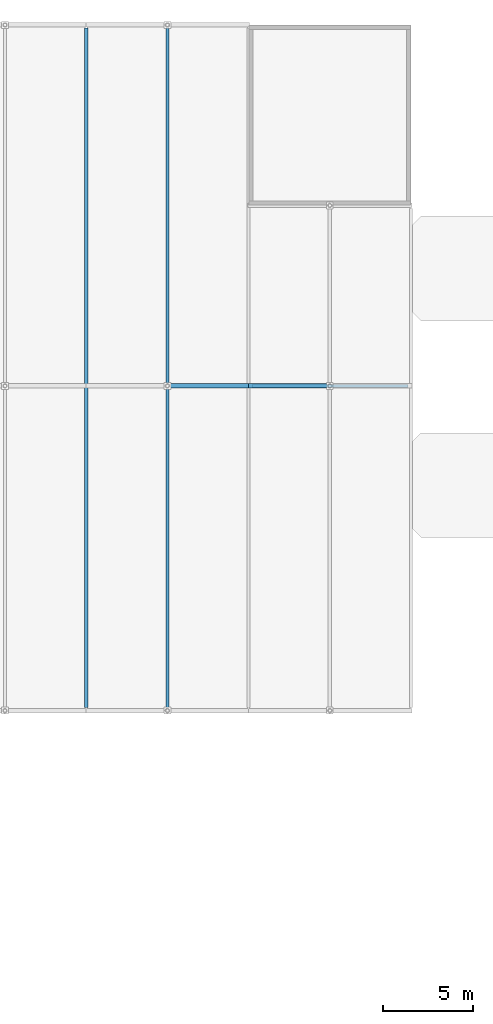
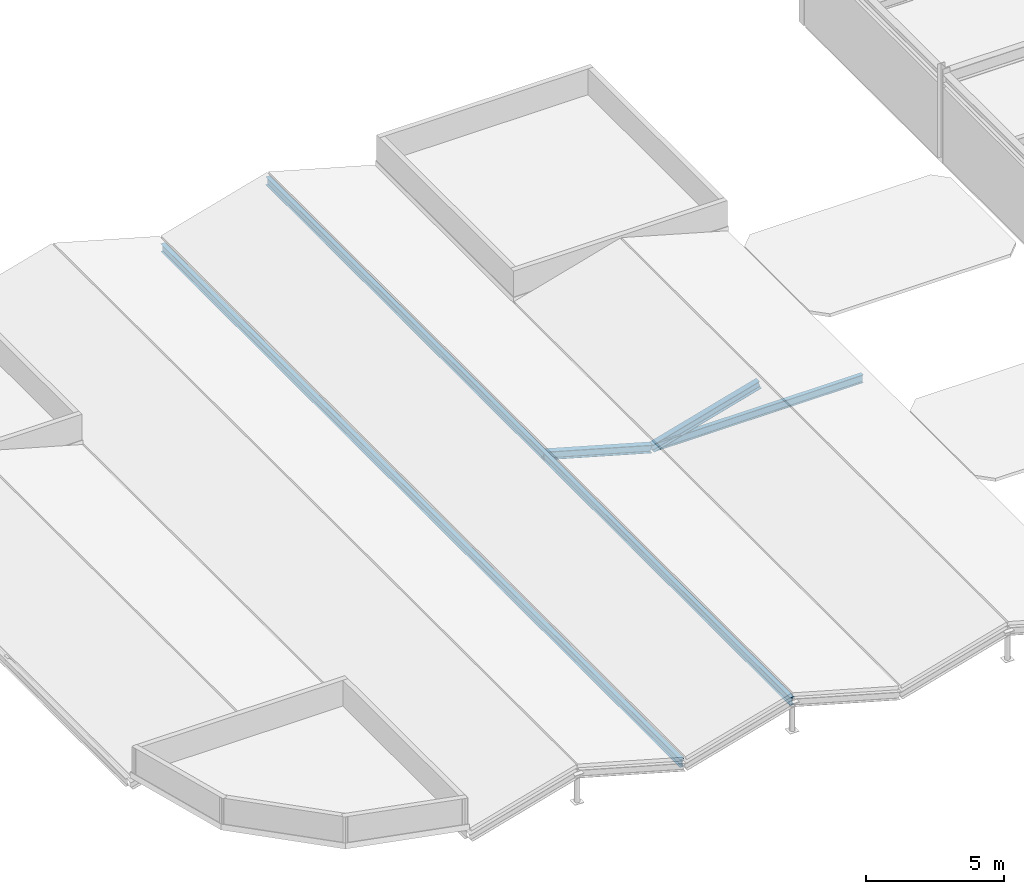
# One storey, part 15 of 40: 3 members, 2 beams.
"""IFC4 building model written with IfcOpenShell, lengths in metres."""

import ifcopenshell
import ifcopenshell.guid

model = None  # the IFC model being written
_history = None  # IfcOwnerHistory: only IFC2X3 demands one
_inside = {}  # id of a spatial element -> (the spatial element, [elements in it])
_under = {}  # id of a project, library or spatial element -> (it, [spatial elements below it])
_declared = {}  # id of a project -> (the project, [libraries it declares])
_typed = {}  # id of a type object -> (the type object, [elements of that type])
_made_of = {}  # id of a material, layer set ... -> (it, [elements and type objects made of it])


def new_model(schema):
    """Start an empty IFC model of exactly this schema.

    Asked for "IFC4X3", IfcOpenShell would pick the latest addendum, in which some entities
    have other attributes; the version numbers below select the first issue.
    IFC2X3 requires an IfcOwnerHistory on every rooted entity: one is made here for all.
    """
    global model, _history
    if schema == "IFC4X3":
        model = ifcopenshell.file(schema_version=(4, 3, 0, 0))
    else:
        model = ifcopenshell.file(schema=schema)
    _inside.clear()
    _under.clear()
    _declared.clear()
    _typed.clear()
    _made_of.clear()
    _history = None
    if model.schema == "IFC2X3":
        org = make("IfcOrganization", Name="unknown")
        user = make(
            "IfcPersonAndOrganization",
            ThePerson=make("IfcPerson", FamilyName="unknown"),
            TheOrganization=org,
        )
        app = make(
            "IfcApplication",
            ApplicationDeveloper=org,
            Version="unknown",
            ApplicationFullName="unknown",
            ApplicationIdentifier="unknown",
        )
        _history = make(
            "IfcOwnerHistory",
            OwningUser=user,
            OwningApplication=app,
            ChangeAction="ADDED",
            CreationDate=0,
        )
    return model


def make(cls, **values):
    """One entity of the class cls with the attributes given. An attribute that is None is left unset."""
    return model.create_entity(
        cls, **{name: value for name, value in values.items() if value is not None}
    )


def rooted(cls, **values):
    """An entity with a GlobalId (a new one), such as an element, a storey or a relation."""
    return make(cls, GlobalId=ifcopenshell.guid.new(), OwnerHistory=_history, **values)


def si_unit(unit_type, name, prefix=None):
    """IfcSIUnit, for example si_unit("LENGTHUNIT", "METRE", prefix="MILLI")."""
    return make("IfcSIUnit", UnitType=unit_type, Prefix=prefix, Name=name)


def assignment(units):
    """IfcUnitAssignment: the units of a project."""
    return None if units is None else make("IfcUnitAssignment", Units=units)


def point(xyz):
    """IfcCartesianPoint."""
    return None if xyz is None else make("IfcCartesianPoint", Coordinates=xyz)


def direction(xyz):
    """IfcDirection."""
    return None if xyz is None else make("IfcDirection", DirectionRatios=xyz)


def frame(location, z_axis=None, x_axis=None):
    """IfcAxis2Placement3D, a coordinate frame: its origin and axes. An axis left out is left unset."""
    return make(
        "IfcAxis2Placement3D",
        Location=point(location),
        Axis=direction(z_axis),
        RefDirection=direction(x_axis),
    )


def frame_2d(location, x_axis=None):
    """IfcAxis2Placement2D, a coordinate frame in the plane: its origin and x axis."""
    return make(
        "IfcAxis2Placement2D", Location=point(location), RefDirection=direction(x_axis)
    )


def origin():
    """The frame at (0, 0, 0) with its axes left unset."""
    return frame((0.0, 0.0, 0.0))


def origin_2d():
    """The frame at (0, 0) in the plane with its x axis left unset."""
    return frame_2d((0.0, 0.0))


def place(relative_to, where):
    """IfcLocalPlacement: puts the frame where relative to a parent placement (None: the world)."""
    return make(
        "IfcLocalPlacement", PlacementRelTo=relative_to, RelativePlacement=where
    )


def context(
    kind, dimensions, precision=None, world=None, true_north=None, identifier=None
):
    """IfcGeometricRepresentationContext, for example the 3D "Model" context."""
    return make(
        "IfcGeometricRepresentationContext",
        ContextIdentifier=identifier,
        ContextType=kind,
        CoordinateSpaceDimension=dimensions,
        Precision=precision,
        WorldCoordinateSystem=world,
        TrueNorth=true_north,
    )


def subcontext(parent, identifier, kind, view, scale=None):
    """IfcGeometricRepresentationSubContext, for example "Body" below "Model"."""
    return make(
        "IfcGeometricRepresentationSubContext",
        ContextIdentifier=identifier,
        ContextType=kind,
        ParentContext=parent,
        TargetScale=scale,
        TargetView=view,
    )


def project(units=None, contexts=None):
    """IfcProject with its units and contexts."""
    return rooted(
        "IfcProject",
        Name="project",
        RepresentationContexts=contexts,
        UnitsInContext=assignment(units),
    )


def spatial(cls, under=None, at=None, **own):
    """A site, building, storey or space (cls), placed at a placement, below another one or the project."""
    s = rooted(cls, ObjectPlacement=at, **own)
    if under is not None:
        _under.setdefault(under.id(), (under, []))[1].append(s)
    return s


def profile(cls, at=None, kind="AREA", **sizes):
    """A parametric profile (cls). Its sizes go by their IFC names, for example OverallWidth=200.0."""
    return make(cls, ProfileType=kind, Position=at, **sizes)


def i_section(**sizes):
    """IfcIShapeProfileDef."""
    return profile("IfcIShapeProfileDef", **sizes)


def extrude(swept, where, along, depth):
    """IfcExtrudedAreaSolid: the profile swept, set in the frame where, extruded along a direction by depth."""
    return make(
        "IfcExtrudedAreaSolid",
        SweptArea=swept,
        Position=where,
        ExtrudedDirection=direction(along),
        Depth=depth,
    )


def shape(context_of_items, identifier, shape_type, items):
    """IfcShapeRepresentation: the items that make up one representation, for example the "Body"."""
    return make(
        "IfcShapeRepresentation",
        ContextOfItems=context_of_items,
        RepresentationIdentifier=identifier,
        RepresentationType=shape_type,
        Items=items,
    )


def material(Name=None, Category=None):
    """IfcMaterial."""
    return make("IfcMaterial", Name=Name, Category=Category)


def material_profile(
    of_material, cross_section, Name=None, Category=None, Priority=None
):
    """IfcMaterialProfile: a cross section and its material."""
    return make(
        "IfcMaterialProfile",
        Name=Name,
        Material=of_material,
        Profile=cross_section,
        Priority=Priority,
        Category=Category,
    )


def profile_set(profiles, Name=None, composite=None):
    """IfcMaterialProfileSet."""
    return make(
        "IfcMaterialProfileSet",
        Name=Name,
        MaterialProfiles=profiles,
        CompositeProfile=composite,
    )


def made_of(thing, what):
    """Note that an element or type object is made of a material, layer set ...; save() writes the relation."""
    if what is not None:
        _made_of.setdefault(what.id(), (what, []))[1].append(thing)
    return thing


def type_object(cls, material=None, **own):
    """A type object (cls), such as IfcWallType, which elements share."""
    return made_of(rooted(cls, **own), material)


def element(
    cls,
    number,
    at=None,
    inside=None,
    cuts=None,
    type_object=None,
    material=None,
    context=None,
    identifier="Body",
    shape_type=None,
    held_by="IfcProductDefinitionShape",
    body=None,
    shapes=None,
    **own,
):
    """One element of the class cls, such as IfcWall. Its Tag is "e" and its number.

    at: its placement. inside: the storey or other place that contains it. cuts: it is an
    opening in that element (IfcRelVoidsElement). A single representation is given by context,
    identifier, shape_type and body (its items); several are given by shapes. held_by: the class
    of the entity that holds the representations. save() writes the other relations.
    """
    e = rooted(cls, Tag="e%d" % number, ObjectPlacement=at, **own)
    if body is not None:
        shapes = [shape(context, identifier, shape_type, body)]
    if shapes is not None:
        e.Representation = make(held_by, Representations=shapes)
    if inside is not None:
        _inside.setdefault(inside.id(), (inside, []))[1].append(e)
    if cuts is not None:
        rooted(
            "IfcRelVoidsElement", RelatingBuildingElement=cuts, RelatedOpeningElement=e
        )
    if type_object is not None:
        _typed.setdefault(type_object.id(), (type_object, []))[1].append(e)
    return made_of(e, material)


def aggregate(whole, parts):
    """IfcRelAggregates: a whole, such as a stair, and the parts it consists of."""
    return rooted("IfcRelAggregates", RelatingObject=whole, RelatedObjects=parts)


def save(model, path):
    """Write the relations noted so far, then the file.

    IfcRelAggregates (storeys below a building ...), IfcRelContainedInSpatialStructure (elements
    in a storey), IfcRelDefinesByType, IfcRelAssociatesMaterial and IfcRelDeclares: one each for
    every whole, place, type object, material and project.
    """
    for whole, parts in _under.values():
        aggregate(whole, parts)
    for where, things in _inside.values():
        rooted(
            "IfcRelContainedInSpatialStructure",
            RelatedElements=things,
            RelatingStructure=where,
        )
    for kind, things in _typed.values():
        rooted("IfcRelDefinesByType", RelatedObjects=things, RelatingType=kind)
    for what, things in _made_of.values():
        rooted("IfcRelAssociatesMaterial", RelatedObjects=things, RelatingMaterial=what)
    for by, libraries in _declared.values():
        rooted("IfcRelDeclares", RelatingContext=by, RelatedDefinitions=libraries)
    model.write(path)


model = new_model("IFC4")

# Units and contexts
model_context = context("Model", 3, precision=1e-05, world=origin(), true_north=direction((0.0, 1.0)))
body_context = subcontext(model_context, "Body", "Model", "MODEL_VIEW")
ifc_project = project(units=[si_unit("LENGTHUNIT", "METRE"), si_unit("AREAUNIT", "SQUARE_METRE"), si_unit("VOLUMEUNIT", "CUBIC_METRE"), si_unit("PLANEANGLEUNIT", "RADIAN"), si_unit("MASSUNIT", "GRAM", prefix="KILO")], contexts=[model_context])

# Site, building, storey
site_placement = place(None, origin())
site = spatial("IfcSite", under=ifc_project, at=site_placement, CompositionType="ELEMENT")
building_placement = place(site_placement, origin())
building = spatial("IfcBuilding", under=site, at=building_placement, Name="Suzunagisa Mobility Hub", CompositionType="ELEMENT")
storey_placement = place(building_placement, frame((0.0, 0.0, 21.89990234375)))
storey = spatial("IfcBuildingStorey", under=building, at=storey_placement, Name="L05", CompositionType="ELEMENT", Elevation=21.89990234375)

# Members
ifc_material_1 = material(Name="Steel SN400B", Category="steel")
ifc_material_profile_1 = material_profile(ifc_material_1, i_section(OverallWidth=0.25, OverallDepth=0.340087890625, WebThickness=0.009033203125, FlangeThickness=0.013916015625, FilletRadius=0.010009765625, at=origin_2d()), Name="H-340x250x9x14")
ifc_profile_set_1 = profile_set([ifc_material_profile_1], Name="Steel SN400B")
member_type_1 = type_object("IfcMemberType", Name="Roof Truss and Brace Member MB-11 H-340x250x9x14", PredefinedType="RAFTER", material=ifc_profile_set_1)
for number, where, z_axis, x_axis, name in (
    (1, (27.0, 98.0, -0.3798828125), (-0.962514716328, 0.0, 0.271229461622), (0.0, -1.0, 0.0), "L05 Ramp Canopy Rafter 237"),
    (2, (27.0, 98.0, -0.3798828125), (0.962514716328, 0.0, 0.271229461622), (0.0, 1.0, 0.0), "L05 Ramp Canopy Rafter 246"),
):
    element("IfcMember", number, at=place(storey_placement, frame(where, z_axis=z_axis, x_axis=x_axis)), inside=storey, type_object=member_type_1, Name=name, PredefinedType="RAFTER", context=body_context, shape_type="SweptSolid", body=[
        extrude(i_section(OverallWidth=0.25, OverallDepth=0.340087890625, WebThickness=0.009033203125, FlangeThickness=0.013916015625, FilletRadius=0.010009765625, at=origin_2d()), origin(), (0.0, 0.0, 1.0), 4.67529296875),
    ])
ifc_material_2 = material(Name="Steel SN490B", Category="steel")
ifc_material_profile_2 = material_profile(ifc_material_2, i_section(OverallWidth=0.175048828125, OverallDepth=0.35009765625, WebThickness=0.007080078125, FlangeThickness=0.010986328125, FilletRadius=0.008056640625, at=origin_2d()), Name="H-350x175x7x11")
ifc_profile_set_2 = profile_set([ifc_material_profile_2], Name="Steel SN490B")
member_type_2 = type_object("IfcMemberType", Name="Roof Truss and Brace Member MB-12 H-350x175x7x11", PredefinedType="CHORD", material=ifc_profile_set_2)
member_placement = place(storey_placement, frame((22.5, 80.0, 0.88818359375), z_axis=(0.0, 1.0, 0.0), x_axis=(-1.0, 0.0, 0.0)))
element("IfcMember", 3, at=member_placement, inside=storey, type_object=member_type_2, Name="L05 Ramp Canopy Ridge Chord 3", PredefinedType="CHORD", context=body_context, shape_type="SweptSolid", body=[
    extrude(i_section(OverallWidth=0.175048828125, OverallDepth=0.35009765625, WebThickness=0.007080078125, FlangeThickness=0.010986328125, FilletRadius=0.008056640625, at=origin_2d()), origin(), (0.0, 0.0, 1.0), 38.0),
])

# Beams
ifc_material_profile_3 = material_profile(ifc_material_1, i_section(OverallWidth=0.175048828125, OverallDepth=0.35009765625, WebThickness=0.007080078125, FlangeThickness=0.010986328125, FilletRadius=0.008056640625, at=origin_2d()), Name="H-350x175x7x11")
ifc_profile_set_3 = profile_set([ifc_material_profile_3], Name="Steel SN400B")
beam_type_1 = type_object("IfcBeamType", Name="Steel Beam BM-03 H-350x175x7x11", PredefinedType="JOIST", material=ifc_profile_set_3)
beam_1_placement = place(storey_placement, frame((27.179931640625, 98.0, -0.3798828125), z_axis=(1.0, 0.0, 0.0), x_axis=(0.0, 1.0, 0.0)))
element("IfcBeam", 4, at=beam_1_placement, inside=storey, type_object=beam_type_1, Name="L05 Ramp Canopy Truss Tie 2262", PredefinedType="JOIST", context=body_context, shape_type="SweptSolid", body=[
    extrude(i_section(OverallWidth=0.175048828125, OverallDepth=0.35009765625, WebThickness=0.007080078125, FlangeThickness=0.010986328125, FilletRadius=0.008056640625, at=origin_2d()), origin(), (0.0, 0.0, 1.0), 8.64013671875),
])
ifc_material_profile_4 = material_profile(ifc_material_2, i_section(OverallWidth=0.175048828125, OverallDepth=0.35009765625, WebThickness=0.007080078125, FlangeThickness=0.010986328125, FilletRadius=0.008056640625, at=origin_2d()), Name="H-350x175x7x11")
ifc_profile_set_4 = profile_set([ifc_material_profile_4], Name="Steel SN490B")
beam_type_2 = type_object("IfcBeamType", Name="Steel Beam BM-19 H-350x175x7x11", PredefinedType="BEAM", material=ifc_profile_set_4)
beam_2_placement = place(storey_placement, frame((18.0, 80.179931640625, -0.3798828125), z_axis=(0.0, 1.0, 0.0), x_axis=(-1.0, 0.0, 0.0)))
element("IfcBeam", 5, at=beam_2_placement, inside=storey, type_object=beam_type_2, Name="L05 Ramp Drum Canopy Valley Rib 2256", PredefinedType="BEAM", context=body_context, shape_type="SweptSolid", body=[
    extrude(i_section(OverallWidth=0.175048828125, OverallDepth=0.35009765625, WebThickness=0.007080078125, FlangeThickness=0.010986328125, FilletRadius=0.008056640625, at=origin_2d()), origin(), (0.0, 0.0, 1.0), 37.64013671875),
])

save(model, "model.ifc")
